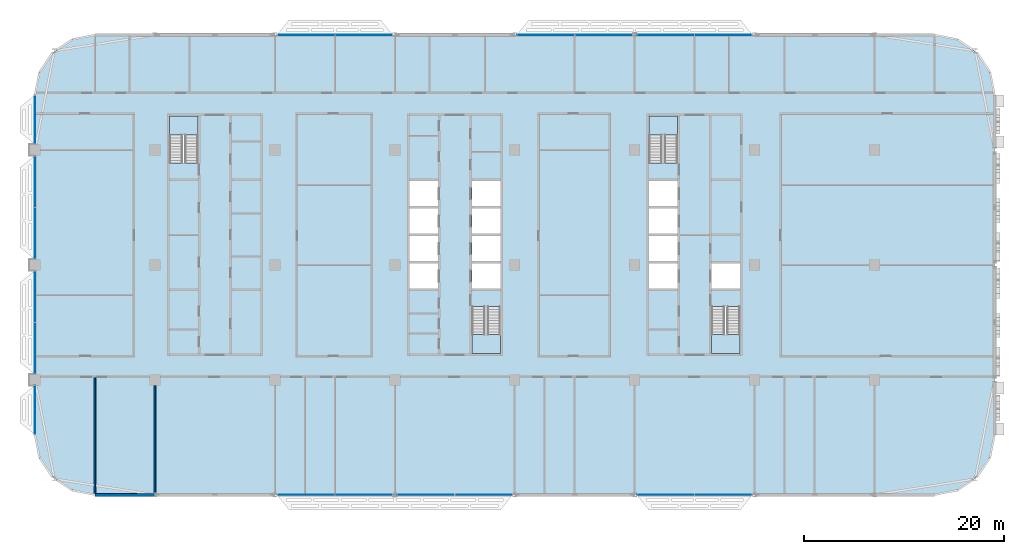
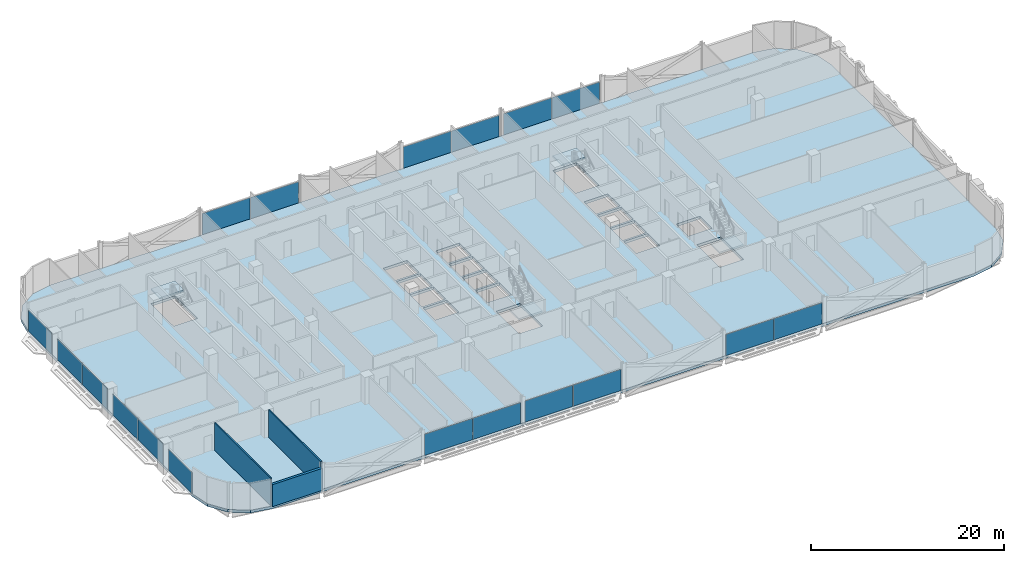
# One storey, part 12 of 30: 18 plates, 5 slabs, 3 walls, 14 elements without a shape of their own.
"""IFC4 building model written with IfcOpenShell, lengths in metres."""

from ifc_helpers import new_model, si_unit, direction, frame, frame_2d, origin, origin_2d, place, context, subcontext, project, spatial, polyline, rectangle, outline, extrude, material, layer, layer_set, type_object, element, aggregate, save


model = new_model("IFC4")

# Units and contexts
model_context = context("Model", 3, precision=1e-05, world=origin(), true_north=direction((0.0, 1.0)))
body_context = subcontext(model_context, "Body", "Model", "MODEL_VIEW")
ifc_project = project(units=[si_unit("LENGTHUNIT", "METRE"), si_unit("AREAUNIT", "SQUARE_METRE"), si_unit("VOLUMEUNIT", "CUBIC_METRE"), si_unit("PLANEANGLEUNIT", "RADIAN"), si_unit("MASSUNIT", "GRAM", prefix="KILO")], contexts=[model_context])

# Site, building, storey
site_placement = place(None, origin())
site = spatial("IfcSite", under=ifc_project, at=site_placement, CompositionType="ELEMENT")
building_placement = place(site_placement, origin())
building = spatial("IfcBuilding", under=site, at=building_placement, Name="Mahtab Terrace Research Tower", CompositionType="ELEMENT")
storey_placement = place(building_placement, frame((0.0, 0.0, 212.89990234375)))
storey = spatial("IfcBuildingStorey", under=building, at=storey_placement, Name="L51", CompositionType="ELEMENT", Elevation=212.89990234375)

# Stair, slab
ifc_material_1 = material(Name="Exit stair half-turn")
stair_type = type_object("IfcStairType", Name="Exit stair half-turn", PredefinedType="HALF_TURN_STAIR", material=ifc_material_1)
stair_1_placement = place(storey_placement, origin())
stair_1 = element("IfcStair", 1, at=stair_1_placement, inside=storey, type_object=stair_type, Name="L51 Protected exit stair ST1", PredefinedType="HALF_TURN_STAIR")
ifc_material_2 = material(Name="Concrete C40/50", Category="concrete")
ifc_layer_1 = layer(ifc_material_2, 0.199951171875)
ifc_layer_set_1 = layer_set([ifc_layer_1], Name="Exit stair landing 200")
slab_type_1 = type_object("IfcSlabType", Name="Exit stair landing 200", PredefinedType="LANDING", material=ifc_layer_set_1)
slab_1_placement = place(storey_placement, frame((0.0, 0.0, 1.7001953125)))
slab_1 = element("IfcSlab", 2, at=slab_1_placement, type_object=slab_type_1, Name="ST1 landing 1", PredefinedType="LANDING", context=body_context, shape_type="SweptSolid", body=[
    extrude(outline(polyline([(-25.699951171875, 12.97509765625), (-25.699951171875, 14.875), (-28.550048828125, 14.875), (-28.550048828125, 12.97509765625), (-25.699951171875, 12.97509765625)])), origin(), (0.0, 0.0, 1.0), 0.199951171875),
])
aggregate(stair_1, [slab_1])

stair_2_placement = place(storey_placement, origin())
stair_2 = element("IfcStair", 3, at=stair_2_placement, inside=storey, type_object=stair_type, Name="L51 Protected exit stair ST2", PredefinedType="HALF_TURN_STAIR")
slab_2_placement = place(storey_placement, frame((0.0, 0.0, 1.7001953125)))
slab_2 = element("IfcSlab", 4, at=slab_2_placement, type_object=slab_type_1, Name="ST2 landing 1", PredefinedType="LANDING", context=body_context, shape_type="SweptSolid", body=[
    extrude(outline(polyline([(1.699951171875, -6.97509765625), (1.699951171875, -8.875), (4.550048828125, -8.875), (4.550048828125, -6.97509765625), (1.699951171875, -6.97509765625)])), origin(), (0.0, 0.0, 1.0), 0.199951171875),
])
aggregate(stair_2, [slab_2])

stair_3_placement = place(storey_placement, origin())
stair_3 = element("IfcStair", 5, at=stair_3_placement, inside=storey, type_object=stair_type, Name="L51 Protected exit stair ST3", PredefinedType="HALF_TURN_STAIR")
slab_3_placement = place(storey_placement, frame((0.0, 0.0, 1.7001953125)))
slab_3 = element("IfcSlab", 6, at=slab_3_placement, type_object=slab_type_1, Name="ST3 landing 1", PredefinedType="LANDING", context=body_context, shape_type="SweptSolid", body=[
    extrude(outline(polyline([(22.300048828125, 12.97509765625), (22.300048828125, 14.875), (19.449951171875, 14.875), (19.449951171875, 12.97509765625), (22.300048828125, 12.97509765625)])), origin(), (0.0, 0.0, 1.0), 0.199951171875),
])
aggregate(stair_3, [slab_3])

stair_4_placement = place(storey_placement, origin())
stair_4 = element("IfcStair", 7, at=stair_4_placement, inside=storey, type_object=stair_type, Name="L51 Protected exit stair ST4", PredefinedType="HALF_TURN_STAIR")
slab_4_placement = place(storey_placement, frame((0.0, 0.0, 1.7001953125)))
slab_4 = element("IfcSlab", 8, at=slab_4_placement, type_object=slab_type_1, Name="ST4 landing 1", PredefinedType="LANDING", context=body_context, shape_type="SweptSolid", body=[
    extrude(outline(polyline([(25.699951171875, -6.97509765625), (25.699951171875, -8.875), (28.550048828125, -8.875), (28.550048828125, -6.97509765625), (25.699951171875, -6.97509765625)])), origin(), (0.0, 0.0, 1.0), 0.199951171875),
])
aggregate(stair_4, [slab_4])

# Curtain wall, plates
ifc_material_3 = material(Name="Laboratory ribbon curtain wall")
curtain_wall_type = type_object("IfcCurtainWallType", Name="Laboratory ribbon curtain wall", PredefinedType="NOTDEFINED", material=ifc_material_3)
curtain_wall_1_placement = place(storey_placement, origin())
curtain_wall_1 = element("IfcCurtainWall", 9, at=curtain_wall_1_placement, inside=storey, type_object=curtain_wall_type, Name="EN.L51.3.5", PredefinedType="NOTDEFINED")
ifc_material_4 = material(Name="Dark glazing", Category="glass")
ifc_layer_2 = layer(ifc_material_4, 0.031982421875)
ifc_layer_set_2 = layer_set([ifc_layer_2], Name="Laboratory ribbon curtain wall glazing panel")
plate_type = type_object("IfcPlateType", Name="Laboratory ribbon curtain wall glazing panel", PredefinedType="CURTAIN_PANEL", material=ifc_layer_set_2)
plate_1_placement = place(storey_placement, frame((26.8837890625, 23.0, 0.0), z_axis=(0.0, 0.0, 1.0), x_axis=(-1.0, 0.0, 0.0)))
plate_1 = element("IfcPlate", 10, at=plate_1_placement, type_object=plate_type, Name="CWL-6 panel 1", PredefinedType="CURTAIN_PANEL", context=body_context, shape_type="SweptSolid", body=[
    extrude(rectangle(XDim=5.702392578125, YDim=0.031982421875, at=origin_2d()), origin(), (0.0, 0.0, 1.0), 2.681884765625),
])
plate_2_placement = place(storey_placement, frame((21.1162109375, 23.0, 0.0), z_axis=(0.0, 0.0, 1.0), x_axis=(-1.0, 0.0, 0.0)))
plate_2 = element("IfcPlate", 11, at=plate_2_placement, type_object=plate_type, Name="CWL-6 panel 2", PredefinedType="CURTAIN_PANEL", context=body_context, shape_type="SweptSolid", body=[
    extrude(rectangle(XDim=5.702392578125, YDim=0.031982421875, at=origin_2d()), origin(), (0.0, 0.0, 1.0), 2.681884765625),
])
aggregate(curtain_wall_1, [plate_1, plate_2])

curtain_wall_2_placement = place(storey_placement, origin())
curtain_wall_2 = element("IfcCurtainWall", 12, at=curtain_wall_2_placement, inside=storey, type_object=curtain_wall_type, Name="EN.L51.3.6", PredefinedType="NOTDEFINED")
plate_3_placement = place(storey_placement, frame((14.8837890625, 23.0, 0.0), z_axis=(0.0, 0.0, 1.0), x_axis=(-1.0, 0.0, 0.0)))
plate_3 = element("IfcPlate", 13, at=plate_3_placement, type_object=plate_type, Name="CWL-6 panel 1", PredefinedType="CURTAIN_PANEL", context=body_context, shape_type="SweptSolid", body=[
    extrude(rectangle(XDim=5.702392578125, YDim=0.031982421875, at=origin_2d()), origin(), (0.0, 0.0, 1.0), 2.681884765625),
])
plate_4_placement = place(storey_placement, frame((9.1162109375, 23.0, 0.0), z_axis=(0.0, 0.0, 1.0), x_axis=(-1.0, 0.0, 0.0)))
plate_4 = element("IfcPlate", 14, at=plate_4_placement, type_object=plate_type, Name="CWL-6 panel 2", PredefinedType="CURTAIN_PANEL", context=body_context, shape_type="SweptSolid", body=[
    extrude(rectangle(XDim=5.702392578125, YDim=0.031982421875, at=origin_2d()), origin(), (0.0, 0.0, 1.0), 2.681884765625),
])
aggregate(curtain_wall_2, [plate_3, plate_4])

curtain_wall_3_placement = place(storey_placement, origin())
curtain_wall_3 = element("IfcCurtainWall", 15, at=curtain_wall_3_placement, inside=storey, type_object=curtain_wall_type, Name="EN.L51.3.8", PredefinedType="NOTDEFINED")
plate_5_placement = place(storey_placement, frame((-9.1162109375, 23.0, 0.0), z_axis=(0.0, 0.0, 1.0), x_axis=(-1.0, 0.0, 0.0)))
plate_5 = element("IfcPlate", 16, at=plate_5_placement, type_object=plate_type, Name="CWL-6 panel 1", PredefinedType="CURTAIN_PANEL", context=body_context, shape_type="SweptSolid", body=[
    extrude(rectangle(XDim=5.702392578125, YDim=0.031982421875, at=origin_2d()), origin(), (0.0, 0.0, 1.0), 2.681884765625),
])
plate_6_placement = place(storey_placement, frame((-14.8837890625, 23.0, 0.0), z_axis=(0.0, 0.0, 1.0), x_axis=(-1.0, 0.0, 0.0)))
plate_6 = element("IfcPlate", 17, at=plate_6_placement, type_object=plate_type, Name="CWL-6 panel 2", PredefinedType="CURTAIN_PANEL", context=body_context, shape_type="SweptSolid", body=[
    extrude(rectangle(XDim=5.702392578125, YDim=0.031982421875, at=origin_2d()), origin(), (0.0, 0.0, 1.0), 2.681884765625),
])
aggregate(curtain_wall_3, [plate_5, plate_6])

# Curtain wall, plate
curtain_wall_4_placement = place(storey_placement, origin())
curtain_wall_4 = element("IfcCurtainWall", 18, at=curtain_wall_4_placement, inside=storey, type_object=curtain_wall_type, Name="EN.L51.8.15", PredefinedType="NOTDEFINED")
plate_7_placement = place(storey_placement, frame((-42.0, 14.52490234375, 0.0), z_axis=(0.0, 0.0, 1.0), x_axis=(0.0, -1.0, 0.0)))
plate_7 = element("IfcPlate", 19, at=plate_7_placement, type_object=plate_type, Name="CWL-6 panel 1", PredefinedType="CURTAIN_PANEL", context=body_context, shape_type="SweptSolid", body=[
    extrude(rectangle(XDim=4.820068359375, YDim=0.031982421875, at=origin_2d()), origin(), (0.0, 0.0, 1.0), 2.681884765625),
])
aggregate(curtain_wall_4, [plate_7])

# Curtain wall, plates
curtain_wall_5_placement = place(storey_placement, origin())
curtain_wall_5 = element("IfcCurtainWall", 20, at=curtain_wall_5_placement, inside=storey, type_object=curtain_wall_type, Name="EN.L51.8.16", PredefinedType="NOTDEFINED")
plate_8_placement = place(storey_placement, frame((-42.0, 8.333740234375, 0.0), z_axis=(0.0, 0.0, 1.0), x_axis=(0.0, -1.0, 0.0)))
plate_8 = element("IfcPlate", 21, at=plate_8_placement, type_object=plate_type, Name="CWL-6 panel 1", PredefinedType="CURTAIN_PANEL", context=body_context, shape_type="SweptSolid", body=[
    extrude(rectangle(XDim=5.1025390625, YDim=0.031982421875, at=origin_2d()), origin(), (0.0, 0.0, 1.0), 2.681884765625),
])
plate_9_placement = place(storey_placement, frame((-42.0, 3.166259765625, 0.0), z_axis=(0.0, 0.0, 1.0), x_axis=(0.0, -1.0, 0.0)))
plate_9 = element("IfcPlate", 22, at=plate_9_placement, type_object=plate_type, Name="CWL-6 panel 2", PredefinedType="CURTAIN_PANEL", context=body_context, shape_type="SweptSolid", body=[
    extrude(rectangle(XDim=5.1025390625, YDim=0.031982421875, at=origin_2d()), origin(), (0.0, 0.0, 1.0), 2.681884765625),
])
aggregate(curtain_wall_5, [plate_8, plate_9])

curtain_wall_6_placement = place(storey_placement, origin())
curtain_wall_6 = element("IfcCurtainWall", 23, at=curtain_wall_6_placement, inside=storey, type_object=curtain_wall_type, Name="EN.L51.8.17", PredefinedType="NOTDEFINED")
plate_10_placement = place(storey_placement, frame((-42.0, -3.166259765625, 0.0), z_axis=(0.0, 0.0, 1.0), x_axis=(0.0, -1.0, 0.0)))
plate_10 = element("IfcPlate", 24, at=plate_10_placement, type_object=plate_type, Name="CWL-6 panel 1", PredefinedType="CURTAIN_PANEL", context=body_context, shape_type="SweptSolid", body=[
    extrude(rectangle(XDim=5.1025390625, YDim=0.031982421875, at=origin_2d()), origin(), (0.0, 0.0, 1.0), 2.681884765625),
])
plate_11_placement = place(storey_placement, frame((-42.0, -8.333740234375, 0.0), z_axis=(0.0, 0.0, 1.0), x_axis=(0.0, -1.0, 0.0)))
plate_11 = element("IfcPlate", 25, at=plate_11_placement, type_object=plate_type, Name="CWL-6 panel 2", PredefinedType="CURTAIN_PANEL", context=body_context, shape_type="SweptSolid", body=[
    extrude(rectangle(XDim=5.1025390625, YDim=0.031982421875, at=origin_2d()), origin(), (0.0, 0.0, 1.0), 2.681884765625),
])
aggregate(curtain_wall_6, [plate_10, plate_11])

# Curtain wall, plate
curtain_wall_7_placement = place(storey_placement, origin())
curtain_wall_7 = element("IfcCurtainWall", 26, at=curtain_wall_7_placement, inside=storey, type_object=curtain_wall_type, Name="EN.L51.8.18", PredefinedType="NOTDEFINED")
plate_12_placement = place(storey_placement, frame((-42.0, -14.52490234375, 0.0), z_axis=(0.0, 0.0, 1.0), x_axis=(0.0, -1.0, 0.0)))
plate_12 = element("IfcPlate", 27, at=plate_12_placement, type_object=plate_type, Name="CWL-6 panel 1", PredefinedType="CURTAIN_PANEL", context=body_context, shape_type="SweptSolid", body=[
    extrude(rectangle(XDim=4.820068359375, YDim=0.031982421875, at=origin_2d()), origin(), (0.0, 0.0, 1.0), 2.681884765625),
])
aggregate(curtain_wall_7, [plate_12])

# Curtain wall, plates
curtain_wall_8_placement = place(storey_placement, origin())
curtain_wall_8 = element("IfcCurtainWall", 28, at=curtain_wall_8_placement, inside=storey, type_object=curtain_wall_type, Name="EN.L51.13.25", PredefinedType="NOTDEFINED")
plate_13_placement = place(storey_placement, frame((-14.8837890625, -23.0, 0.0), z_axis=(0.0, 0.0, 1.0), x_axis=(1.0, 0.0, 0.0)))
plate_13 = element("IfcPlate", 29, at=plate_13_placement, type_object=plate_type, Name="CWL-6 panel 1", PredefinedType="CURTAIN_PANEL", context=body_context, shape_type="SweptSolid", body=[
    extrude(rectangle(XDim=5.702392578125, YDim=0.031982421875, at=origin_2d()), origin(), (0.0, 0.0, 1.0), 2.681884765625),
])
plate_14_placement = place(storey_placement, frame((-9.1162109375, -23.0, 0.0), z_axis=(0.0, 0.0, 1.0), x_axis=(1.0, 0.0, 0.0)))
plate_14 = element("IfcPlate", 30, at=plate_14_placement, type_object=plate_type, Name="CWL-6 panel 2", PredefinedType="CURTAIN_PANEL", context=body_context, shape_type="SweptSolid", body=[
    extrude(rectangle(XDim=5.702392578125, YDim=0.031982421875, at=origin_2d()), origin(), (0.0, 0.0, 1.0), 2.681884765625),
])
aggregate(curtain_wall_8, [plate_13, plate_14])

curtain_wall_9_placement = place(storey_placement, origin())
curtain_wall_9 = element("IfcCurtainWall", 31, at=curtain_wall_9_placement, inside=storey, type_object=curtain_wall_type, Name="EN.L51.13.26", PredefinedType="NOTDEFINED")
plate_15_placement = place(storey_placement, frame((-2.8837890625, -23.0, 0.0), z_axis=(0.0, 0.0, 1.0), x_axis=(1.0, 0.0, 0.0)))
plate_15 = element("IfcPlate", 32, at=plate_15_placement, type_object=plate_type, Name="CWL-6 panel 1", PredefinedType="CURTAIN_PANEL", context=body_context, shape_type="SweptSolid", body=[
    extrude(rectangle(XDim=5.702392578125, YDim=0.031982421875, at=origin_2d()), origin(), (0.0, 0.0, 1.0), 2.681884765625),
])
plate_16_placement = place(storey_placement, frame((2.8837890625, -23.0, 0.0), z_axis=(0.0, 0.0, 1.0), x_axis=(1.0, 0.0, 0.0)))
plate_16 = element("IfcPlate", 33, at=plate_16_placement, type_object=plate_type, Name="CWL-6 panel 2", PredefinedType="CURTAIN_PANEL", context=body_context, shape_type="SweptSolid", body=[
    extrude(rectangle(XDim=5.702392578125, YDim=0.031982421875, at=origin_2d()), origin(), (0.0, 0.0, 1.0), 2.681884765625),
])
aggregate(curtain_wall_9, [plate_15, plate_16])

curtain_wall_10_placement = place(storey_placement, origin())
curtain_wall_10 = element("IfcCurtainWall", 34, at=curtain_wall_10_placement, inside=storey, type_object=curtain_wall_type, Name="EN.L51.13.28", PredefinedType="NOTDEFINED")
plate_17_placement = place(storey_placement, frame((21.1162109375, -23.0, 0.0), z_axis=(0.0, 0.0, 1.0), x_axis=(1.0, 0.0, 0.0)))
plate_17 = element("IfcPlate", 35, at=plate_17_placement, type_object=plate_type, Name="CWL-6 panel 1", PredefinedType="CURTAIN_PANEL", context=body_context, shape_type="SweptSolid", body=[
    extrude(rectangle(XDim=5.702392578125, YDim=0.031982421875, at=origin_2d()), origin(), (0.0, 0.0, 1.0), 2.681884765625),
])
plate_18_placement = place(storey_placement, frame((26.8837890625, -23.0, 0.0), z_axis=(0.0, 0.0, 1.0), x_axis=(1.0, 0.0, 0.0)))
plate_18 = element("IfcPlate", 36, at=plate_18_placement, type_object=plate_type, Name="CWL-6 panel 2", PredefinedType="CURTAIN_PANEL", context=body_context, shape_type="SweptSolid", body=[
    extrude(rectangle(XDim=5.702392578125, YDim=0.031982421875, at=origin_2d()), origin(), (0.0, 0.0, 1.0), 2.681884765625),
])
aggregate(curtain_wall_10, [plate_17, plate_18])

# Slab
ifc_layer_3 = layer(ifc_material_2, 0.340087890625)
ifc_layer_set_3 = layer_set([ifc_layer_3], Name="PT flat slab 340")
slab_type_2 = type_object("IfcSlabType", Name="PT flat slab 340", PredefinedType="FLOOR", material=ifc_layer_set_3)
slab_5_placement = place(storey_placement, frame((0.0, 0.0, -0.33984375)))
element("IfcSlab", 37, at=slab_5_placement, inside=storey, type_object=slab_type_2, Name="Floor slab L51", PredefinedType="FLOOR", context=body_context, shape_type="SweptSolid", body=[
    extrude(outline(polyline([(53.54296875, 19.2958984375), (52.242919921875, 21.242919921875), (50.2958984375, 22.54296875), (48.0, 23.0), (-36.0, 23.0), (-38.2958984375, 22.54296875), (-40.242919921875, 21.242919921875), (-41.54296875, 19.2958984375), (-42.0, 17.0), (-42.0, -17.0), (-41.54296875, -19.2958984375), (-40.242919921875, -21.242919921875), (-38.2958984375, -22.54296875), (-36.0, -23.0), (48.0, -23.0), (50.2958984375, -22.54296875), (52.242919921875, -21.242919921875), (53.54296875, -19.2958984375), (54.0, -17.0), (54.0, 17.0), (53.54296875, 19.2958984375)]), holes=[polyline([(-4.550048828125, -2.375), (-4.550048828125, 0.125), (-1.699951171875, 0.125), (-1.699951171875, -2.375), (-4.550048828125, -2.375)]), polyline([(1.699951171875, -2.375), (1.699951171875, 0.125), (4.550048828125, 0.125), (4.550048828125, -2.375), (1.699951171875, -2.375)]), polyline([(-4.550048828125, 0.375), (-4.550048828125, 2.875), (-1.699951171875, 2.875), (-1.699951171875, 0.375), (-4.550048828125, 0.375)]), polyline([(1.699951171875, 0.375), (1.699951171875, 2.875), (4.550048828125, 2.875), (4.550048828125, 0.375), (1.699951171875, 0.375)]), polyline([(-4.550048828125, 3.125), (-4.550048828125, 5.625), (-1.699951171875, 5.625), (-1.699951171875, 3.125), (-4.550048828125, 3.125)]), polyline([(1.699951171875, 3.125), (1.699951171875, 5.625), (4.550048828125, 5.625), (4.550048828125, 3.125), (1.699951171875, 3.125)]), polyline([(-4.550048828125, 5.875), (-4.550048828125, 8.375), (-1.699951171875, 8.375), (-1.699951171875, 5.875), (-4.550048828125, 5.875)]), polyline([(1.699951171875, 5.875), (1.699951171875, 8.375), (4.550048828125, 8.375), (4.550048828125, 5.875), (1.699951171875, 5.875)]), polyline([(-28.550048828125, 10.177001953125), (-28.550048828125, 14.875), (-25.699951171875, 14.875), (-25.699951171875, 10.177001953125), (-28.550048828125, 10.177001953125)]), polyline([(1.699951171875, -8.875), (1.699951171875, -4.177001953125), (4.550048828125, -4.177001953125), (4.550048828125, -8.875), (1.699951171875, -8.875)]), polyline([(25.699951171875, -8.875), (25.699951171875, -4.177001953125), (28.550048828125, -4.177001953125), (28.550048828125, -8.875), (25.699951171875, -8.875)]), polyline([(19.449951171875, -2.375), (19.449951171875, 0.125), (22.300048828125, 0.125), (22.300048828125, -2.375), (19.449951171875, -2.375)]), polyline([(25.699951171875, -2.375), (25.699951171875, 0.125), (28.550048828125, 0.125), (28.550048828125, -2.375), (25.699951171875, -2.375)]), polyline([(19.449951171875, 0.375), (19.449951171875, 2.875), (22.300048828125, 2.875), (22.300048828125, 0.375), (19.449951171875, 0.375)]), polyline([(19.449951171875, 3.125), (19.449951171875, 5.625), (22.300048828125, 5.625), (22.300048828125, 3.125), (19.449951171875, 3.125)]), polyline([(19.449951171875, 8.375), (22.300048828125, 8.375), (22.300048828125, 5.875), (19.449951171875, 5.875), (19.449951171875, 8.375)]), polyline([(19.449951171875, 14.875), (22.300048828125, 14.875), (22.300048828125, 10.177001953125), (19.449951171875, 10.177001953125), (19.449951171875, 14.875)])]), origin(), (0.0, 0.0, 1.0), 0.33984375),
])

# Walls
ifc_material_5 = material(Name="Black aluminium cladding panel", Category="aluminium")
ifc_layer_4 = layer(ifc_material_5, 0.300048828125)
ifc_layer_set_4 = layer_set([ifc_layer_4], Name="Opaque facade wall 300")
wall_type_1 = type_object("IfcWallType", Name="Opaque facade wall 300", PredefinedType="NOTDEFINED", material=ifc_layer_set_4)
wall_1_placement = place(storey_placement, frame((-36.0, -23.0, 0.0), z_axis=(0.0, 0.0, 1.0), x_axis=(1.0, 0.0, 0.0)))
element("IfcWall", 38, at=wall_1_placement, inside=storey, type_object=wall_type_1, Name="Opaque facade wall L51 S23", PredefinedType="NOTDEFINED", context=body_context, shape_type="SweptSolid", body=[
    extrude(rectangle(XDim=5.987548828125, YDim=0.300048828125, at=frame_2d((2.99365234375, 0.0))), origin(), (0.0, 0.0, 1.0), 2.781982421875),
])
ifc_material_6 = material(Name="Gypsum board partition on steel studs", Category="steel")
ifc_layer_5 = layer(ifc_material_6, 0.14990234375)
ifc_layer_set_5 = layer_set([ifc_layer_5], Name="WALL PARTITION 150")
wall_type_2 = type_object("IfcWallType", Name="WALL PARTITION 150", PredefinedType="PARTITIONING", material=ifc_layer_set_5)
wall_2_placement = place(storey_placement, frame((-36.0, -22.84716796875, 0.0), z_axis=(0.0, 0.0, 1.0), x_axis=(0.0, 1.0, 0.0)))
element("IfcWall", 39, at=wall_2_placement, inside=storey, type_object=wall_type_2, Name="L51-W027", PredefinedType="PARTITIONING", context=body_context, shape_type="SweptSolid", body=[
    extrude(rectangle(XDim=11.547119140625, YDim=0.14990234375, at=frame_2d((5.7734375, 0.0))), origin(), (0.0, 0.0, 1.0), 3.460205078125),
])
wall_3_placement = place(storey_placement, frame((-30.0, -22.85009765625, 0.0), z_axis=(0.0, 0.0, 1.0), x_axis=(0.0, 1.0, 0.0)))
element("IfcWall", 40, at=wall_3_placement, inside=storey, type_object=wall_type_2, Name="L51-W031", PredefinedType="PARTITIONING", context=body_context, shape_type="SweptSolid", body=[
    extrude(rectangle(XDim=10.800048828125, YDim=0.14990234375, at=frame_2d((5.39990234375, 0.0))), origin(), (0.0, 0.0, 1.0), 3.460205078125),
])

save(model, "model.ifc")
